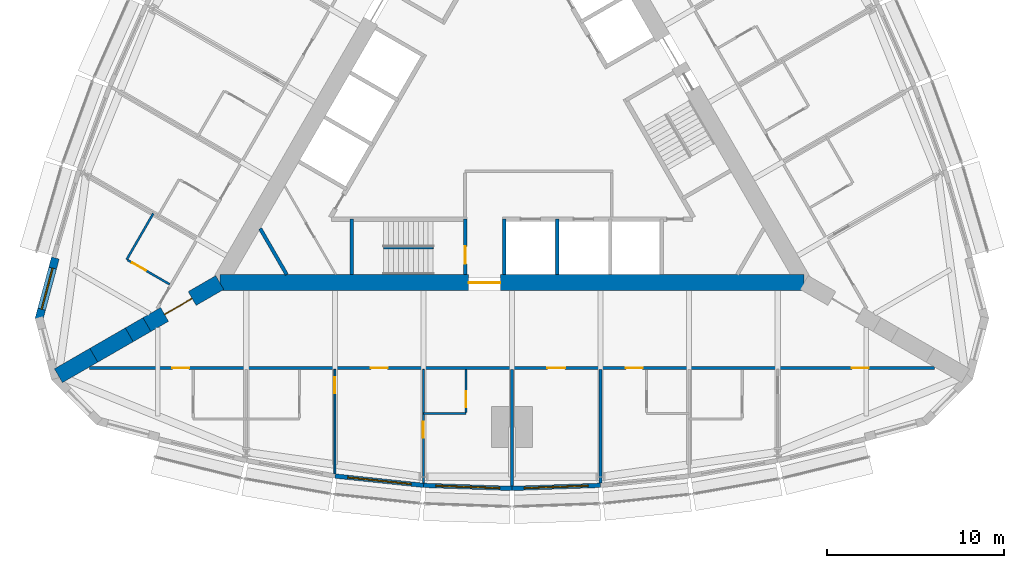
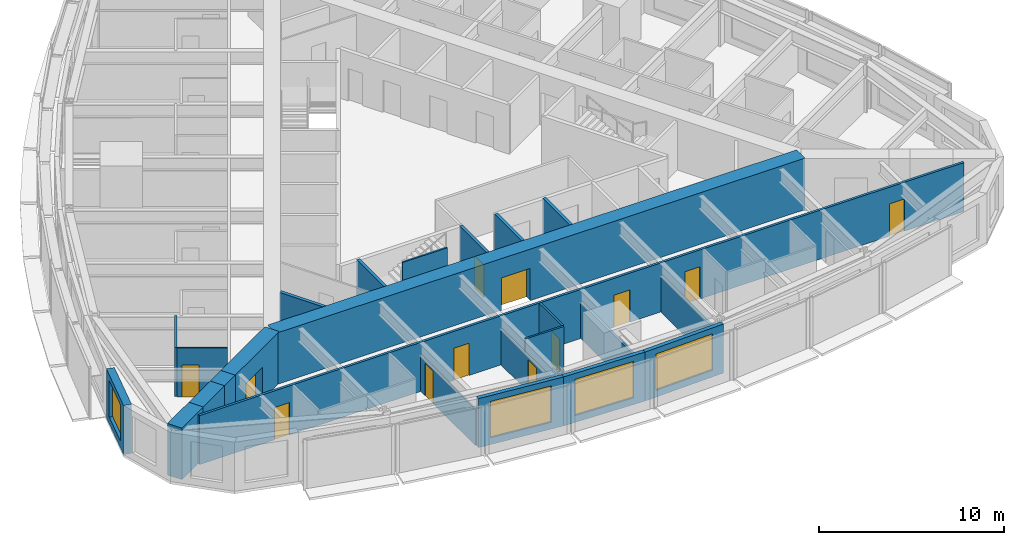
# One storey, part 8 of 14: 24 walls, 12 doors, 4 windows, 16 openings.
"""IFC4 building model written with IfcOpenShell, lengths in metres."""

import ifcopenshell
import ifcopenshell.guid

model = None  # the IFC model being written
_history = None  # IfcOwnerHistory: only IFC2X3 demands one
_inside = {}  # id of a spatial element -> (the spatial element, [elements in it])
_under = {}  # id of a project, library or spatial element -> (it, [spatial elements below it])
_declared = {}  # id of a project -> (the project, [libraries it declares])
_typed = {}  # id of a type object -> (the type object, [elements of that type])
_made_of = {}  # id of a material, layer set ... -> (it, [elements and type objects made of it])


def new_model(schema):
    """Start an empty IFC model of exactly this schema.

    Asked for "IFC4X3", IfcOpenShell would pick the latest addendum, in which some entities
    have other attributes; the version numbers below select the first issue.
    IFC2X3 requires an IfcOwnerHistory on every rooted entity: one is made here for all.
    """
    global model, _history
    if schema == "IFC4X3":
        model = ifcopenshell.file(schema_version=(4, 3, 0, 0))
    else:
        model = ifcopenshell.file(schema=schema)
    _inside.clear()
    _under.clear()
    _declared.clear()
    _typed.clear()
    _made_of.clear()
    _history = None
    if model.schema == "IFC2X3":
        org = make("IfcOrganization", Name="unknown")
        user = make(
            "IfcPersonAndOrganization",
            ThePerson=make("IfcPerson", FamilyName="unknown"),
            TheOrganization=org,
        )
        app = make(
            "IfcApplication",
            ApplicationDeveloper=org,
            Version="unknown",
            ApplicationFullName="unknown",
            ApplicationIdentifier="unknown",
        )
        _history = make(
            "IfcOwnerHistory",
            OwningUser=user,
            OwningApplication=app,
            ChangeAction="ADDED",
            CreationDate=0,
        )
    return model


def make(cls, **values):
    """One entity of the class cls with the attributes given. An attribute that is None is left unset."""
    return model.create_entity(
        cls, **{name: value for name, value in values.items() if value is not None}
    )


def rooted(cls, **values):
    """An entity with a GlobalId (a new one), such as an element, a storey or a relation."""
    return make(cls, GlobalId=ifcopenshell.guid.new(), OwnerHistory=_history, **values)


def si_unit(unit_type, name, prefix=None):
    """IfcSIUnit, for example si_unit("LENGTHUNIT", "METRE", prefix="MILLI")."""
    return make("IfcSIUnit", UnitType=unit_type, Prefix=prefix, Name=name)


def assignment(units):
    """IfcUnitAssignment: the units of a project."""
    return None if units is None else make("IfcUnitAssignment", Units=units)


def point(xyz):
    """IfcCartesianPoint."""
    return None if xyz is None else make("IfcCartesianPoint", Coordinates=xyz)


def direction(xyz):
    """IfcDirection."""
    return None if xyz is None else make("IfcDirection", DirectionRatios=xyz)


def frame(location, z_axis=None, x_axis=None):
    """IfcAxis2Placement3D, a coordinate frame: its origin and axes. An axis left out is left unset."""
    return make(
        "IfcAxis2Placement3D",
        Location=point(location),
        Axis=direction(z_axis),
        RefDirection=direction(x_axis),
    )


def frame_2d(location, x_axis=None):
    """IfcAxis2Placement2D, a coordinate frame in the plane: its origin and x axis."""
    return make(
        "IfcAxis2Placement2D", Location=point(location), RefDirection=direction(x_axis)
    )


def origin():
    """The frame at (0, 0, 0) with its axes left unset."""
    return frame((0.0, 0.0, 0.0))


def place(relative_to, where):
    """IfcLocalPlacement: puts the frame where relative to a parent placement (None: the world)."""
    return make(
        "IfcLocalPlacement", PlacementRelTo=relative_to, RelativePlacement=where
    )


def context(
    kind, dimensions, precision=None, world=None, true_north=None, identifier=None
):
    """IfcGeometricRepresentationContext, for example the 3D "Model" context."""
    return make(
        "IfcGeometricRepresentationContext",
        ContextIdentifier=identifier,
        ContextType=kind,
        CoordinateSpaceDimension=dimensions,
        Precision=precision,
        WorldCoordinateSystem=world,
        TrueNorth=true_north,
    )


def subcontext(parent, identifier, kind, view, scale=None):
    """IfcGeometricRepresentationSubContext, for example "Body" below "Model"."""
    return make(
        "IfcGeometricRepresentationSubContext",
        ContextIdentifier=identifier,
        ContextType=kind,
        ParentContext=parent,
        TargetScale=scale,
        TargetView=view,
    )


def project(units=None, contexts=None):
    """IfcProject with its units and contexts."""
    return rooted(
        "IfcProject",
        Name="project",
        RepresentationContexts=contexts,
        UnitsInContext=assignment(units),
    )


def spatial(cls, under=None, at=None, **own):
    """A site, building, storey or space (cls), placed at a placement, below another one or the project."""
    s = rooted(cls, ObjectPlacement=at, **own)
    if under is not None:
        _under.setdefault(under.id(), (under, []))[1].append(s)
    return s


def profile(cls, at=None, kind="AREA", **sizes):
    """A parametric profile (cls). Its sizes go by their IFC names, for example OverallWidth=200.0."""
    return make(cls, ProfileType=kind, Position=at, **sizes)


def rectangle(**sizes):
    """IfcRectangleProfileDef."""
    return profile("IfcRectangleProfileDef", **sizes)


def extrude(swept, where, along, depth):
    """IfcExtrudedAreaSolid: the profile swept, set in the frame where, extruded along a direction by depth."""
    return make(
        "IfcExtrudedAreaSolid",
        SweptArea=swept,
        Position=where,
        ExtrudedDirection=direction(along),
        Depth=depth,
    )


def shape(context_of_items, identifier, shape_type, items):
    """IfcShapeRepresentation: the items that make up one representation, for example the "Body"."""
    return make(
        "IfcShapeRepresentation",
        ContextOfItems=context_of_items,
        RepresentationIdentifier=identifier,
        RepresentationType=shape_type,
        Items=items,
    )


def material(Name=None, Category=None):
    """IfcMaterial."""
    return make("IfcMaterial", Name=Name, Category=Category)


def layer(
    of_material, thickness, ventilated=None, Name=None, Category=None, Priority=None
):
    """IfcMaterialLayer: one layer of a wall or slab, of a material (None: an air gap)."""
    return make(
        "IfcMaterialLayer",
        Material=of_material,
        LayerThickness=thickness,
        IsVentilated=ventilated,
        Name=Name,
        Category=Category,
        Priority=Priority,
    )


def layer_set(layers, Name=None):
    """IfcMaterialLayerSet."""
    return make("IfcMaterialLayerSet", MaterialLayers=layers, LayerSetName=Name)


def made_of(thing, what):
    """Note that an element or type object is made of a material, layer set ...; save() writes the relation."""
    if what is not None:
        _made_of.setdefault(what.id(), (what, []))[1].append(thing)
    return thing


def type_object(cls, material=None, **own):
    """A type object (cls), such as IfcWallType, which elements share."""
    return made_of(rooted(cls, **own), material)


def element(
    cls,
    number,
    at=None,
    inside=None,
    cuts=None,
    type_object=None,
    material=None,
    context=None,
    identifier="Body",
    shape_type=None,
    held_by="IfcProductDefinitionShape",
    body=None,
    shapes=None,
    **own,
):
    """One element of the class cls, such as IfcWall. Its Tag is "e" and its number.

    at: its placement. inside: the storey or other place that contains it. cuts: it is an
    opening in that element (IfcRelVoidsElement). A single representation is given by context,
    identifier, shape_type and body (its items); several are given by shapes. held_by: the class
    of the entity that holds the representations. save() writes the other relations.
    """
    e = rooted(cls, Tag="e%d" % number, ObjectPlacement=at, **own)
    if body is not None:
        shapes = [shape(context, identifier, shape_type, body)]
    if shapes is not None:
        e.Representation = make(held_by, Representations=shapes)
    if inside is not None:
        _inside.setdefault(inside.id(), (inside, []))[1].append(e)
    if cuts is not None:
        rooted(
            "IfcRelVoidsElement", RelatingBuildingElement=cuts, RelatedOpeningElement=e
        )
    if type_object is not None:
        _typed.setdefault(type_object.id(), (type_object, []))[1].append(e)
    return made_of(e, material)


def fill(opening, filler):
    """IfcRelFillsElement: the door or window that sits in an opening."""
    return rooted(
        "IfcRelFillsElement",
        RelatingOpeningElement=opening,
        RelatedBuildingElement=filler,
    )


def aggregate(whole, parts):
    """IfcRelAggregates: a whole, such as a stair, and the parts it consists of."""
    return rooted("IfcRelAggregates", RelatingObject=whole, RelatedObjects=parts)


def save(model, path):
    """Write the relations noted so far, then the file.

    IfcRelAggregates (storeys below a building ...), IfcRelContainedInSpatialStructure (elements
    in a storey), IfcRelDefinesByType, IfcRelAssociatesMaterial and IfcRelDeclares: one each for
    every whole, place, type object, material and project.
    """
    for whole, parts in _under.values():
        aggregate(whole, parts)
    for where, things in _inside.values():
        rooted(
            "IfcRelContainedInSpatialStructure",
            RelatedElements=things,
            RelatingStructure=where,
        )
    for kind, things in _typed.values():
        rooted("IfcRelDefinesByType", RelatedObjects=things, RelatingType=kind)
    for what, things in _made_of.values():
        rooted("IfcRelAssociatesMaterial", RelatedObjects=things, RelatingMaterial=what)
    for by, libraries in _declared.values():
        rooted("IfcRelDeclares", RelatingContext=by, RelatedDefinitions=libraries)
    model.write(path)


model = new_model("IFC4")

# Units and contexts
model_context = context("Model", 3, precision=1e-05, world=origin(), true_north=direction((0.0, 1.0)))
body_context = subcontext(model_context, "Body", "Model", "MODEL_VIEW")
ifc_project = project(units=[si_unit("LENGTHUNIT", "METRE"), si_unit("AREAUNIT", "SQUARE_METRE"), si_unit("VOLUMEUNIT", "CUBIC_METRE"), si_unit("PLANEANGLEUNIT", "RADIAN"), si_unit("MASSUNIT", "GRAM", prefix="KILO")], contexts=[model_context])

# Site, building, storey
site_placement = place(None, origin())
site = spatial("IfcSite", under=ifc_project, at=site_placement, CompositionType="ELEMENT")
building_placement = place(site_placement, origin())
building = spatial("IfcBuilding", under=site, at=building_placement, Name="Trikona Tower", CompositionType="ELEMENT")
storey_placement = place(building_placement, frame((0.0, 0.0, 135.10009765625)))
storey = spatial("IfcBuildingStorey", under=building, at=storey_placement, Name="L35", CompositionType="ELEMENT", Elevation=135.10009765625)

# Wall
ifc_material_1 = material(Name="Metal stud and cement board", Category="gypsum")
ifc_layer_1 = layer(ifc_material_1, 0.1201171875)
ifc_layer_set_1 = layer_set([ifc_layer_1], Name="Bathroom wall 120")
wall_type_1 = type_object("IfcWallType", Name="Bathroom wall 120", PredefinedType="PLUMBINGWALL", material=ifc_layer_set_1)
wall_1_placement = place(storey_placement, frame((-5.0, -16.92626953125, 0.0), z_axis=(0.0, 0.0, 1.0), x_axis=(1.0, 0.0, 0.0)))
element("IfcWall", 1, at=wall_1_placement, inside=storey, type_object=wall_type_1, Name="Bathroom wall 3502.2", PredefinedType="PLUMBINGWALL", context=body_context, shape_type="SweptSolid", body=[
    extrude(rectangle(XDim=2.39990234375, YDim=0.1201171875, at=frame_2d((1.199951171875, 0.0))), origin(), (0.0, 0.0, 1.0), 3.23486328125),
])

# Wall, opening, door
wall_2_placement = place(storey_placement, frame((-2.60009765625, -14.42626953125, 0.0), z_axis=(0.0, 0.0, 1.0), x_axis=(0.0, -1.0, 0.0)))
wall_2 = element("IfcWall", 2, at=wall_2_placement, inside=storey, type_object=wall_type_1, Name="Bathroom wall 3502.2", PredefinedType="PLUMBINGWALL", context=body_context, shape_type="SweptSolid", body=[
    extrude(rectangle(XDim=2.43994140625, YDim=0.1201171875, at=frame_2d((1.219970703125, 0.0))), origin(), (0.0, 0.0, 1.0), 3.23486328125),
])
opening_1_placement = place(wall_2_placement, frame((1.25, 0.0, 0.0)))
opening_1 = element("IfcOpeningElement", 3, at=opening_1_placement, cuts=wall_2, Name="Opening D2", PredefinedType="OPENING", context=body_context, shape_type="SweptSolid", body=[
    extrude(rectangle(XDim=0.89990234375, YDim=2.1298828125, at=frame_2d((0.449951171875, 1.06494140625))), frame((0.0, 0.070068359375, 0.0), z_axis=(0.0, -1.0, 0.0), x_axis=(1.0, 0.0, 0.0)), (0.0, 0.0, 1.0), 0.14013671875),
])
ifc_material_2 = material(Name="Steel door frame with solid-core timber leaf", Category="steel")
door_type_1 = type_object("IfcDoorType", Name="Bathroom door 900x2130", OperationType="SLIDING_TO_LEFT", PredefinedType="DOOR", material=ifc_material_2)
door_1_placement = place(opening_1_placement, origin())
door_1 = element("IfcDoor", 4, at=door_1_placement, inside=storey, type_object=door_type_1, Name="Bathroom door 3502.2", OperationType="SLIDING_TO_LEFT", OverallHeight=2.1298828125, OverallWidth=0.89990234375, PredefinedType="DOOR", context=body_context, shape_type="SweptSolid", body=[
    extrude(rectangle(XDim=0.89990234375, YDim=2.1298828125, at=frame_2d((0.449951171875, 1.06494140625))), frame((0.0, 0.02490234375, 0.0), z_axis=(0.0, -1.0, 0.0), x_axis=(1.0, 0.0, 0.0)), (0.0, 0.0, 1.0), 0.050048828125),
])
fill(opening_1, door_1)

# Wall
wall_3_placement = place(storey_placement, frame((-20.25341796875, -5.627197265625, 0.0), z_axis=(0.0, 0.0, 1.0), x_axis=(-0.499990139034, -0.866031096941, 0.0)))
element("IfcWall", 5, at=wall_3_placement, inside=storey, type_object=wall_type_1, Name="Bathroom wall 3516", PredefinedType="PLUMBINGWALL", context=body_context, shape_type="SweptSolid", body=[
    extrude(rectangle(XDim=3.0, YDim=0.1201171875, at=frame_2d((1.5, 0.0))), origin(), (0.0, 0.0, 1.0), 3.23486328125),
])

# Wall, opening, door
wall_4_placement = place(storey_placement, frame((-19.32861328125, -9.625244140625, 0.0), z_axis=(0.0, 0.0, 1.0), x_axis=(-0.866035715982, 0.499982138324, 0.0)))
wall_4 = element("IfcWall", 6, at=wall_4_placement, inside=storey, type_object=wall_type_1, Name="Bathroom wall 3516", PredefinedType="PLUMBINGWALL", context=body_context, shape_type="SweptSolid", body=[
    extrude(rectangle(XDim=2.73974609375, YDim=0.1201171875, at=frame_2d((1.369873046875, 0.0))), origin(), (0.0, 0.0, 1.0), 3.23486328125),
])
opening_2_placement = place(wall_4_placement, frame((1.550048828125, 0.0, 0.0)))
opening_2 = element("IfcOpeningElement", 7, at=opening_2_placement, cuts=wall_4, Name="Opening D2", PredefinedType="OPENING", context=body_context, shape_type="SweptSolid", body=[
    extrude(rectangle(XDim=0.89990234375, YDim=2.1298828125, at=frame_2d((0.449951171875, 1.06494140625))), frame((0.0, 0.070068359375, 0.0), z_axis=(0.0, -1.0, 0.0), x_axis=(1.0, 0.0, 0.0)), (0.0, 0.0, 1.0), 0.14013671875),
])
door_2_placement = place(opening_2_placement, origin())
door_2 = element("IfcDoor", 8, at=door_2_placement, inside=storey, type_object=door_type_1, Name="Bathroom door 3516", OperationType="SLIDING_TO_LEFT", OverallHeight=2.1298828125, OverallWidth=0.89990234375, PredefinedType="DOOR", context=body_context, shape_type="SweptSolid", body=[
    extrude(rectangle(XDim=0.89990234375, YDim=2.1298828125, at=frame_2d((0.449951171875, 1.06494140625))), frame((0.0, 0.02490234375, 0.0), z_axis=(0.0, -1.0, 0.0), x_axis=(1.0, 0.0, 0.0)), (0.0, 0.0, 1.0), 0.050048828125),
])
fill(opening_2, door_2)

# Wall, opening, window
ifc_material_3 = material(Name="Brick-faced precast concrete", Category="masonry")
ifc_layer_2 = layer(ifc_material_3, 0.449951171875)
ifc_layer_set_2 = layer_set([ifc_layer_2], Name="Brick-faced corner wall 450")
wall_type_2 = type_object("IfcWallType", Name="Brick-faced corner wall 450", PredefinedType="SOLIDWALL", material=ifc_layer_set_2)
wall_5_placement = place(storey_placement, frame((-25.78271484375, -8.14111328125, 0.0), z_axis=(0.0, 0.0, 1.0), x_axis=(-0.258823421857, -0.965924653531, 0.0)))
wall_5 = element("IfcWall", 9, at=wall_5_placement, inside=storey, type_object=wall_type_2, Name="External wall L35-32", PredefinedType="SOLIDWALL", context=body_context, shape_type="SweptSolid", body=[
    extrude(rectangle(XDim=3.58642578125, YDim=0.449951171875, at=frame_2d((1.793212890625, 0.0))), origin(), (0.0, 0.0, 1.0), 3.23486328125),
])
opening_3_placement = place(wall_5_placement, frame((0.593017578125, 0.0, 0.449951171875)))
opening_3 = element("IfcOpeningElement", 10, at=opening_3_placement, cuts=wall_5, Name="Opening W2424", PredefinedType="OPENING", context=body_context, shape_type="SweptSolid", body=[
    extrude(rectangle(XDim=2.39990234375, YDim=2.39990234375, at=frame_2d((1.199951171875, 1.199951171875))), frame((0.0, 0.23486328125, 0.0), z_axis=(0.0, -1.0, 0.0), x_axis=(1.0, 0.0, 0.0)), (0.0, 0.0, 1.0), 0.469970703125),
])
ifc_material_4 = material(Name="Aluminium-framed double glazing", Category="aluminium")
window_type_1 = type_object("IfcWindowType", Name="Window 2400x2400", PartitioningType="SINGLE_PANEL", PredefinedType="WINDOW", material=ifc_material_4)
window_1_placement = place(opening_3_placement, origin())
window_1 = element("IfcWindow", 11, at=window_1_placement, inside=storey, type_object=window_type_1, Name="Window 3516", OverallHeight=2.39990234375, OverallWidth=2.39990234375, PartitioningType="SINGLE_PANEL", PredefinedType="WINDOW", context=body_context, shape_type="SweptSolid", body=[
    extrude(rectangle(XDim=2.39990234375, YDim=2.39990234375, at=frame_2d((1.199951171875, 1.199951171875))), frame((0.0, 0.030029296875, 0.0), z_axis=(0.0, -1.0, 0.0), x_axis=(1.0, 0.0, 0.0)), (0.0, 0.0, 1.0), 0.06005859375),
])
fill(opening_3, window_1)

# Wall, opening, door
ifc_material_5 = material(Name="Concrete f'c 10000 psi", Category="concrete")
ifc_layer_3 = layer(ifc_material_5, 0.89990234375)
ifc_layer_set_3 = layer_set([ifc_layer_3], Name="Buttress wall 900")
wall_type_3 = type_object("IfcWallType", Name="Buttress wall 900", PredefinedType="SHEAR", material=ifc_layer_set_3)
wall_6_placement = place(storey_placement, frame((-16.5, -9.5263671875, 0.0), z_axis=(0.0, 0.0, 1.0), x_axis=(-0.866031398331, -0.499989616998, 0.0)))
wall_6 = element("IfcWall", 12, at=wall_6_placement, inside=storey, type_object=wall_type_3, Name="Buttress wall 3", PredefinedType="SHEAR", context=body_context, shape_type="SweptSolid", body=[
    extrude(rectangle(XDim=4.74609375, YDim=0.89990234375, at=frame_2d((2.373046875, 0.0))), origin(), (0.0, 0.0, 1.0), 3.39990234375),
])
opening_4_placement = place(wall_6_placement, frame((1.800048828125, 0.0, 0.0)))
opening_4 = element("IfcOpeningElement", 13, at=opening_4_placement, cuts=wall_6, Name="Opening D10", PredefinedType="OPENING", context=body_context, shape_type="SweptSolid", body=[
    extrude(rectangle(XDim=1.800048828125, YDim=2.1298828125, at=frame_2d((0.89990234375, 1.06494140625))), frame((0.0, 0.4599609375, 0.0), z_axis=(0.0, -1.0, 0.0), x_axis=(1.0, 0.0, 0.0)), (0.0, 0.0, 1.0), 0.919921875),
])
ifc_material_6 = material(Name="Hollow metal door and frame", Category="steel")
door_type_2 = type_object("IfcDoorType", Name="Cross-corridor door pair 1800x2130", OperationType="DOUBLE_DOOR_DOUBLE_SWING", PredefinedType="DOOR", material=ifc_material_6)
door_3_placement = place(opening_4_placement, origin())
door_3 = element("IfcDoor", 14, at=door_3_placement, inside=storey, type_object=door_type_2, Name="Cross-corridor door 3", OperationType="DOUBLE_DOOR_DOUBLE_SWING", OverallHeight=2.1298828125, OverallWidth=1.800048828125, PredefinedType="DOOR", context=body_context, shape_type="SweptSolid", body=[
    extrude(rectangle(XDim=1.800048828125, YDim=2.1298828125, at=frame_2d((0.89990234375, 1.06494140625))), frame((0.0, 0.02490234375, 0.0), z_axis=(0.0, -1.0, 0.0), x_axis=(1.0, 0.0, 0.0)), (0.0, 0.0, 1.0), 0.050048828125),
])
fill(opening_4, door_3)

# Walls
wall_7_placement = place(storey_placement, frame((-20.6103515625, -11.8994140625, 0.0), z_axis=(0.0, 0.0, 1.0), x_axis=(-0.866009537788, -0.500027479704, 0.0)))
element("IfcWall", 15, at=wall_7_placement, inside=storey, type_object=wall_type_3, Name="Buttress wall 3 part 2", PredefinedType="SHEAR", context=body_context, shape_type="SweptSolid", body=[
    extrude(rectangle(XDim=1.15478515625, YDim=0.89990234375, at=frame_2d((0.577392578125, 0.0))), origin(), (0.0, 0.0, 1.0), 3.39990234375),
])
for number, where, z_axis, x_axis, name in (
    (16, (-21.6103515625, -12.476806640625, 0.0), (0.0, 0.0, 1.0), (-0.866055313784, -0.499948190782, 0.0), "Buttress wall 3 part 3"),
    (17, (-23.6103515625, -13.63134765625, 0.0), (0.0, 0.0, 1.0), (-0.866009537788, -0.500027479704, 0.0), "Buttress wall 3 part 4"),
):
    element("IfcWall", number, at=place(storey_placement, frame(where, z_axis=z_axis, x_axis=x_axis)), inside=storey, type_object=wall_type_3, Name=name, PredefinedType="SHEAR", context=body_context, shape_type="SweptSolid", body=[
        extrude(rectangle(XDim=2.309326171875, YDim=0.89990234375, at=frame_2d((1.15478515625, 0.0))), origin(), (0.0, 0.0, 1.0), 3.39990234375),
    ])

# Wall, opening, door
ifc_material_7 = material(Name="Concrete f'c 10000 psi", Category="concrete")
ifc_layer_4 = layer(ifc_material_7, 0.89990234375)
ifc_layer_set_4 = layer_set([ifc_layer_4], Name="Core wall 900")
wall_type_4 = type_object("IfcWallType", Name="Core wall 900", PredefinedType="SHEAR", material=ifc_layer_set_4)
wall_8_placement = place(storey_placement, frame((-16.5, -9.5263671875, 0.0), z_axis=(0.0, 0.0, 1.0), x_axis=(1.0, 0.0, 0.0)))
wall_8 = element("IfcWall", 18, at=wall_8_placement, inside=storey, type_object=wall_type_4, Name="Core wall A", PredefinedType="SHEAR", context=body_context, shape_type="SweptSolid", body=[
    extrude(rectangle(XDim=33.0, YDim=0.89990234375, at=frame_2d((16.5, 0.0))), origin(), (0.0, 0.0, 1.0), 3.39990234375),
])
opening_5_placement = place(wall_8_placement, frame((14.050048828125, 0.0, 0.0)))
opening_5 = element("IfcOpeningElement", 19, at=opening_5_placement, cuts=wall_8, Name="Opening D6", PredefinedType="OPENING", context=body_context, shape_type="SweptSolid", body=[
    extrude(rectangle(XDim=1.800048828125, YDim=2.1298828125, at=frame_2d((0.89990234375, 1.06494140625))), frame((0.0, 0.4599609375, 0.0), z_axis=(0.0, -1.0, 0.0), x_axis=(1.0, 0.0, 0.0)), (0.0, 0.0, 1.0), 0.919921875),
])
ifc_material_8 = material(Name="Hollow metal door and frame", Category="steel")
door_type_3 = type_object("IfcDoorType", Name="Lobby door pair 1800x2130", OperationType="DOUBLE_DOOR_SINGLE_SWING", PredefinedType="DOOR", material=ifc_material_8)
door_4_placement = place(opening_5_placement, origin())
door_4 = element("IfcDoor", 20, at=door_4_placement, inside=storey, type_object=door_type_3, Name="Fire service lift lobby door", OperationType="DOUBLE_DOOR_SINGLE_SWING", OverallHeight=2.1298828125, OverallWidth=1.800048828125, PredefinedType="DOOR", context=body_context, shape_type="SweptSolid", body=[
    extrude(rectangle(XDim=1.800048828125, YDim=2.1298828125, at=frame_2d((0.89990234375, 1.06494140625))), frame((0.0, 0.02490234375, 0.0), z_axis=(0.0, -1.0, 0.0), x_axis=(1.0, 0.0, 0.0)), (0.0, 0.0, 1.0), 0.050048828125),
])
fill(opening_5, door_4)

# Wall, openings, doors
ifc_material_9 = material(Name="Metal stud and gypsum board, 1-hour", Category="gypsum")
ifc_layer_5 = layer(ifc_material_9, 0.14990234375)
ifc_layer_set_5 = layer_set([ifc_layer_5], Name="Corridor wall 150")
wall_type_5 = type_object("IfcWallType", Name="Corridor wall 150", PredefinedType="PARTITIONING", material=ifc_layer_set_5)
wall_9_placement = place(storey_placement, frame((-23.857177734375, -14.351318359375, 0.0), z_axis=(0.0, 0.0, 1.0), x_axis=(1.0, 0.0, 0.0)))
wall_9 = element("IfcWall", 21, at=wall_9_placement, inside=storey, type_object=wall_type_5, Name="Corridor wall L35-1", PredefinedType="PARTITIONING", context=body_context, shape_type="SweptSolid", body=[
    extrude(rectangle(XDim=47.71435546875, YDim=0.14990234375, at=frame_2d((23.857177734375, 0.0))), origin(), (0.0, 0.0, 1.0), 3.23486328125),
])
opening_6_placement = place(wall_9_placement, frame((4.68212890625, 0.0, 0.0)))
opening_6 = element("IfcOpeningElement", 22, at=opening_6_placement, cuts=wall_9, Name="Opening D1", PredefinedType="OPENING", context=body_context, shape_type="SweptSolid", body=[
    extrude(rectangle(XDim=0.949951171875, YDim=2.1298828125, at=frame_2d((0.47509765625, 1.06494140625))), frame((0.0, 0.0849609375, 0.0), z_axis=(0.0, -1.0, 0.0), x_axis=(1.0, 0.0, 0.0)), (0.0, 0.0, 1.0), 0.169921875),
])
opening_7_placement = place(wall_9_placement, frame((15.882080078125, 0.0, 0.0)))
opening_7 = element("IfcOpeningElement", 23, at=opening_7_placement, cuts=wall_9, Name="Opening D1", PredefinedType="OPENING", context=body_context, shape_type="SweptSolid", body=[
    extrude(rectangle(XDim=0.949951171875, YDim=2.1298828125, at=frame_2d((0.47509765625, 1.06494140625))), frame((0.0, 0.0849609375, 0.0), z_axis=(0.0, -1.0, 0.0), x_axis=(1.0, 0.0, 0.0)), (0.0, 0.0, 1.0), 0.169921875),
])
opening_8_placement = place(wall_9_placement, frame((25.857177734375, 0.0, 0.0)))
opening_8 = element("IfcOpeningElement", 24, at=opening_8_placement, cuts=wall_9, Name="Opening D3", PredefinedType="OPENING", context=body_context, shape_type="SweptSolid", body=[
    extrude(rectangle(XDim=1.0, YDim=2.1298828125, at=frame_2d((0.5, 1.06494140625))), frame((0.0, 0.0849609375, 0.0), z_axis=(0.0, -1.0, 0.0), x_axis=(1.0, 0.0, 0.0)), (0.0, 0.0, 1.0), 0.169921875),
])
opening_9_placement = place(wall_9_placement, frame((30.281982421875, 0.0, 0.0)))
opening_9 = element("IfcOpeningElement", 25, at=opening_9_placement, cuts=wall_9, Name="Opening D1", PredefinedType="OPENING", context=body_context, shape_type="SweptSolid", body=[
    extrude(rectangle(XDim=0.949951171875, YDim=2.1298828125, at=frame_2d((0.47509765625, 1.06494140625))), frame((0.0, 0.0849609375, 0.0), z_axis=(0.0, -1.0, 0.0), x_axis=(1.0, 0.0, 0.0)), (0.0, 0.0, 1.0), 0.169921875),
])
opening_10_placement = place(wall_9_placement, frame((43.041015625, 0.0, 0.0)))
opening_10 = element("IfcOpeningElement", 26, at=opening_10_placement, cuts=wall_9, Name="Opening D1", PredefinedType="OPENING", context=body_context, shape_type="SweptSolid", body=[
    extrude(rectangle(XDim=0.949951171875, YDim=2.1298828125, at=frame_2d((0.47509765625, 1.06494140625))), frame((0.0, 0.0849609375, 0.0), z_axis=(0.0, -1.0, 0.0), x_axis=(1.0, 0.0, 0.0)), (0.0, 0.0, 1.0), 0.169921875),
])
ifc_material_10 = material(Name="Steel door frame with solid-core timber leaf", Category="steel")
door_type_4 = type_object("IfcDoorType", Name="Guest room door 950x2130", OperationType="SINGLE_SWING_LEFT", PredefinedType="DOOR", material=ifc_material_10)
door_5_placement = place(opening_6_placement, origin())
door_5 = element("IfcDoor", 27, at=door_5_placement, inside=storey, type_object=door_type_4, Name="Room door 3501", OperationType="SINGLE_SWING_LEFT", OverallHeight=2.1298828125, OverallWidth=0.949951171875, PredefinedType="DOOR", context=body_context, shape_type="SweptSolid", body=[
    extrude(rectangle(XDim=0.949951171875, YDim=2.1298828125, at=frame_2d((0.47509765625, 1.06494140625))), frame((0.0, 0.02490234375, 0.0), z_axis=(0.0, -1.0, 0.0), x_axis=(1.0, 0.0, 0.0)), (0.0, 0.0, 1.0), 0.050048828125),
])
fill(opening_6, door_5)
door_6_placement = place(opening_7_placement, origin())
door_6 = element("IfcDoor", 28, at=door_6_placement, inside=storey, type_object=door_type_4, Name="Room door 3502", OperationType="SINGLE_SWING_RIGHT", OverallHeight=2.1298828125, OverallWidth=0.949951171875, PredefinedType="DOOR", context=body_context, shape_type="SweptSolid", body=[
    extrude(rectangle(XDim=0.949951171875, YDim=2.1298828125, at=frame_2d((0.47509765625, 1.06494140625))), frame((0.0, 0.02490234375, 0.0), z_axis=(0.0, -1.0, 0.0), x_axis=(1.0, 0.0, 0.0)), (0.0, 0.0, 1.0), 0.050048828125),
])
fill(opening_7, door_6)
door_7_placement = place(opening_9_placement, origin())
door_7 = element("IfcDoor", 29, at=door_7_placement, inside=storey, type_object=door_type_4, Name="Room door 3503", OperationType="SINGLE_SWING_RIGHT", OverallHeight=2.1298828125, OverallWidth=0.949951171875, PredefinedType="DOOR", context=body_context, shape_type="SweptSolid", body=[
    extrude(rectangle(XDim=0.949951171875, YDim=2.1298828125, at=frame_2d((0.47509765625, 1.06494140625))), frame((0.0, 0.02490234375, 0.0), z_axis=(0.0, -1.0, 0.0), x_axis=(1.0, 0.0, 0.0)), (0.0, 0.0, 1.0), 0.050048828125),
])
fill(opening_9, door_7)
door_8_placement = place(opening_10_placement, origin())
door_8 = element("IfcDoor", 30, at=door_8_placement, inside=storey, type_object=door_type_4, Name="Room door 3504", OperationType="SINGLE_SWING_RIGHT", OverallHeight=2.1298828125, OverallWidth=0.949951171875, PredefinedType="DOOR", context=body_context, shape_type="SweptSolid", body=[
    extrude(rectangle(XDim=0.949951171875, YDim=2.1298828125, at=frame_2d((0.47509765625, 1.06494140625))), frame((0.0, 0.02490234375, 0.0), z_axis=(0.0, -1.0, 0.0), x_axis=(1.0, 0.0, 0.0)), (0.0, 0.0, 1.0), 0.050048828125),
])
fill(opening_10, door_8)
ifc_material_11 = material(Name="Steel door frame with solid-core timber leaf", Category="steel")
door_type_5 = type_object("IfcDoorType", Name="Room door 1000x2130", OperationType="SINGLE_SWING_LEFT", PredefinedType="DOOR", material=ifc_material_11)
door_9_placement = place(opening_8_placement, origin())
door_9 = element("IfcDoor", 31, at=door_9_placement, inside=storey, type_object=door_type_5, Name="Door Housekeeping pantry", OperationType="SINGLE_SWING_LEFT", OverallHeight=2.1298828125, OverallWidth=1.0, PredefinedType="DOOR", context=body_context, shape_type="SweptSolid", body=[
    extrude(rectangle(XDim=1.0, YDim=2.1298828125, at=frame_2d((0.5, 1.06494140625))), frame((0.0, 0.02490234375, 0.0), z_axis=(0.0, -1.0, 0.0), x_axis=(1.0, 0.0, 0.0)), (0.0, 0.0, 1.0), 0.050048828125),
])
fill(opening_8, door_9)

# Wall, opening, window
ifc_material_12 = material(Name="Insulated precast concrete spandrel panel", Category="concrete")
ifc_layer_6 = layer(ifc_material_12, 0.25)
ifc_layer_set_6 = layer_set([ifc_layer_6], Name="Inner skin wall 250")
wall_type_6 = type_object("IfcWallType", Name="Inner skin wall 250", PredefinedType="STANDARD", material=ifc_layer_set_6)
wall_10_placement = place(storey_placement, frame((-9.98681640625, -20.450927734375, 0.0), z_axis=(0.0, 0.0, 1.0), x_axis=(0.994534683851, -0.104406717299, 0.0)))
wall_10 = element("IfcWall", 32, at=wall_10_placement, inside=storey, type_object=wall_type_6, Name="External wall L35-02", PredefinedType="STANDARD", context=body_context, shape_type="SweptSolid", body=[
    extrude(rectangle(XDim=5.027587890625, YDim=0.25, at=frame_2d((2.513671875, 0.0))), origin(), (0.0, 0.0, 1.0), 3.23486328125),
])
opening_11_placement = place(wall_10_placement, frame((0.713623046875, 0.0, 0.449951171875)))
opening_11 = element("IfcOpeningElement", 33, at=opening_11_placement, cuts=wall_10, Name="Opening W3624", PredefinedType="OPENING", context=body_context, shape_type="SweptSolid", body=[
    extrude(rectangle(XDim=3.60009765625, YDim=2.39990234375, at=frame_2d((1.800048828125, 1.199951171875))), frame((0.0, 0.135009765625, 0.0), z_axis=(0.0, -1.0, 0.0), x_axis=(1.0, 0.0, 0.0)), (0.0, 0.0, 1.0), 0.27001953125),
])
ifc_material_13 = material(Name="Aluminium-framed double glazing", Category="aluminium")
window_type_2 = type_object("IfcWindowType", Name="Window 3600x2400", PartitioningType="SINGLE_PANEL", PredefinedType="WINDOW", material=ifc_material_13)
window_2_placement = place(opening_11_placement, origin())
window_2 = element("IfcWindow", 34, at=window_2_placement, inside=storey, type_object=window_type_2, Name="Window 3502", OverallHeight=2.39990234375, OverallWidth=3.60009765625, PartitioningType="SINGLE_PANEL", PredefinedType="WINDOW", context=body_context, shape_type="SweptSolid", body=[
    extrude(rectangle(XDim=3.60009765625, YDim=2.39990234375, at=frame_2d((1.800048828125, 1.199951171875))), frame((0.0, 0.030029296875, 0.0), z_axis=(0.0, -1.0, 0.0), x_axis=(1.0, 0.0, 0.0)), (0.0, 0.0, 1.0), 0.06005859375),
])
fill(opening_11, window_2)

wall_11_placement = place(storey_placement, frame((-4.99560546875, -20.975341796875, 0.0), z_axis=(0.0, 0.0, 1.0), x_axis=(0.999387720943, -0.034988329879, 0.0)))
wall_11 = element("IfcWall", 35, at=wall_11_placement, inside=storey, type_object=wall_type_6, Name="External wall L35-03", PredefinedType="STANDARD", context=body_context, shape_type="SweptSolid", body=[
    extrude(rectangle(XDim=5.003173828125, YDim=0.25, at=frame_2d((2.50146484375, 0.0))), origin(), (0.0, 0.0, 1.0), 3.23486328125),
])
opening_12_placement = place(wall_11_placement, frame((0.701416015625, 0.0, 0.449951171875)))
opening_12 = element("IfcOpeningElement", 36, at=opening_12_placement, cuts=wall_11, Name="Opening W3624", PredefinedType="OPENING", context=body_context, shape_type="SweptSolid", body=[
    extrude(rectangle(XDim=3.60009765625, YDim=2.39990234375, at=frame_2d((1.800048828125, 1.199951171875))), frame((0.0, 0.135009765625, 0.0), z_axis=(0.0, -1.0, 0.0), x_axis=(1.0, 0.0, 0.0)), (0.0, 0.0, 1.0), 0.27001953125),
])
window_3_placement = place(opening_12_placement, origin())
window_3 = element("IfcWindow", 37, at=window_3_placement, inside=storey, type_object=window_type_2, Name="Window 3502.2", OverallHeight=2.39990234375, OverallWidth=3.60009765625, PartitioningType="SINGLE_PANEL", PredefinedType="WINDOW", context=body_context, shape_type="SweptSolid", body=[
    extrude(rectangle(XDim=3.60009765625, YDim=2.39990234375, at=frame_2d((1.800048828125, 1.199951171875))), frame((0.0, 0.030029296875, 0.0), z_axis=(0.0, -1.0, 0.0), x_axis=(1.0, 0.0, 0.0)), (0.0, 0.0, 1.0), 0.06005859375),
])
fill(opening_12, window_3)

wall_12_placement = place(storey_placement, frame((-0.00439453125, -21.150390625, 0.0), z_axis=(0.0, 0.0, 1.0), x_axis=(0.999387720943, 0.034988329879, 0.0)))
wall_12 = element("IfcWall", 38, at=wall_12_placement, inside=storey, type_object=wall_type_6, Name="External wall L35-04", PredefinedType="STANDARD", context=body_context, shape_type="SweptSolid", body=[
    extrude(rectangle(XDim=5.003173828125, YDim=0.25, at=frame_2d((2.50146484375, 0.0))), origin(), (0.0, 0.0, 1.0), 3.23486328125),
])
opening_13_placement = place(wall_12_placement, frame((0.701416015625, 0.0, 0.449951171875)))
opening_13 = element("IfcOpeningElement", 39, at=opening_13_placement, cuts=wall_12, Name="Opening W3624", PredefinedType="OPENING", context=body_context, shape_type="SweptSolid", body=[
    extrude(rectangle(XDim=3.60009765625, YDim=2.39990234375, at=frame_2d((1.800048828125, 1.199951171875))), frame((0.0, 0.135009765625, 0.0), z_axis=(0.0, -1.0, 0.0), x_axis=(1.0, 0.0, 0.0)), (0.0, 0.0, 1.0), 0.27001953125),
])
window_4_placement = place(opening_13_placement, origin())
window_4 = element("IfcWindow", 40, at=window_4_placement, inside=storey, type_object=window_type_2, Name="Window L35-HKP", OverallHeight=2.39990234375, OverallWidth=3.60009765625, PartitioningType="SINGLE_PANEL", PredefinedType="WINDOW", context=body_context, shape_type="SweptSolid", body=[
    extrude(rectangle(XDim=3.60009765625, YDim=2.39990234375, at=frame_2d((1.800048828125, 1.199951171875))), frame((0.0, 0.030029296875, 0.0), z_axis=(0.0, -1.0, 0.0), x_axis=(1.0, 0.0, 0.0)), (0.0, 0.0, 1.0), 0.06005859375),
])
fill(opening_13, window_4)

# Walls
ifc_material_14 = material(Name="Metal stud and gypsum board, 1-hour acoustic", Category="gypsum")
ifc_layer_7 = layer(ifc_material_14, 0.14990234375)
ifc_layer_set_7 = layer_set([ifc_layer_7], Name="Party wall 150")
wall_type_7 = type_object("IfcWallType", Name="Party wall 150", PredefinedType="PARTITIONING", material=ifc_layer_set_7)
wall_13_placement = place(storey_placement, frame((0.0, -14.42626953125, 0.0), z_axis=(0.0, 0.0, 1.0), x_axis=(0.0, -1.0, 0.0)))
element("IfcWall", 41, at=wall_13_placement, inside=storey, type_object=wall_type_7, Name="Partition L35 F1 u-9.86076e-31", PredefinedType="PARTITIONING", context=body_context, shape_type="SweptSolid", body=[
    extrude(rectangle(XDim=6.5986328125, YDim=0.14990234375, at=frame_2d((3.29931640625, 0.0))), origin(), (0.0, 0.0, 1.0), 2.38916015625),
])
wall_14_placement = place(storey_placement, frame((5.0, -14.42626953125, 0.0), z_axis=(0.0, 0.0, 1.0), x_axis=(0.0, -1.0, 0.0)))
element("IfcWall", 42, at=wall_14_placement, inside=storey, type_object=wall_type_7, Name="Partition L35 F1 u5", PredefinedType="PARTITIONING", context=body_context, shape_type="SweptSolid", body=[
    extrude(rectangle(XDim=6.422607421875, YDim=0.14990234375, at=frame_2d((3.21142578125, 0.0))), origin(), (0.0, 0.0, 1.0), 2.38916015625),
])
ifc_material_15 = material(Name="Concrete f'c 8000 psi", Category="concrete")
ifc_layer_8 = layer(ifc_material_15, 0.199951171875)
ifc_layer_set_8 = layer_set([ifc_layer_8], Name="Shaft wall 200")
wall_type_8 = type_object("IfcWallType", Name="Shaft wall 200", PredefinedType="SOLIDWALL", material=ifc_layer_set_8)
for number, where, z_axis, x_axis, name in (
    (43, (-0.449951171875, -5.951416015625, 0.0), (0.0, 0.0, 1.0), (0.0, -1.0, 0.0), "Shaft wall A3"),
    (44, (2.550048828125, -5.951416015625, 0.0), (0.0, 0.0, 1.0), (0.0, -1.0, 0.0), "Shaft wall A4"),
):
    element("IfcWall", number, at=place(storey_placement, frame(where, z_axis=z_axis, x_axis=x_axis)), inside=storey, type_object=wall_type_8, Name=name, PredefinedType="SOLIDWALL", context=body_context, shape_type="SweptSolid", body=[
        extrude(rectangle(XDim=3.125, YDim=0.199951171875, at=frame_2d((1.5625, 0.0))), origin(), (0.0, 0.0, 1.0), 3.23486328125),
    ])
wall_15_placement = place(storey_placement, frame((-12.718505859375, -9.076416015625, 0.0), z_axis=(0.0, 0.0, 1.0), x_axis=(-0.499952404951, 0.866052881055, 0.0)))
element("IfcWall", 45, at=wall_15_placement, inside=storey, type_object=wall_type_8, Name="Riser wall L35-RS3", PredefinedType="SOLIDWALL", context=body_context, shape_type="SweptSolid", body=[
    extrude(rectangle(XDim=3.002197265625, YDim=0.199951171875, at=frame_2d((1.5009765625, 0.0))), origin(), (0.0, 0.0, 1.0), 3.23486328125),
])
ifc_material_16 = material(Name="Concrete f'c 8000 psi", Category="concrete")
ifc_layer_9 = layer(ifc_material_16, 0.199951171875)
ifc_layer_set_9 = layer_set([ifc_layer_9], Name="Shaft wall 200 load-bearing")
wall_type_9 = type_object("IfcWallType", Name="Shaft wall 200 load-bearing", PredefinedType="SOLIDWALL", material=ifc_layer_set_9)
wall_16_placement = place(storey_placement, frame((-9.050048828125, -5.951416015625, 0.0), z_axis=(0.0, 0.0, 1.0), x_axis=(0.0, -1.0, 0.0)))
element("IfcWall", 46, at=wall_16_placement, inside=storey, type_object=wall_type_9, Name="Shaft wall A1", PredefinedType="SOLIDWALL", context=body_context, shape_type="SweptSolid", body=[
    extrude(rectangle(XDim=3.125, YDim=0.199951171875, at=frame_2d((1.5625, 0.0))), origin(), (0.0, 0.0, 1.0), 3.23486328125),
])

# Wall, opening, door
wall_17_placement = place(storey_placement, frame((-2.64990234375, -5.951416015625, 0.0), z_axis=(0.0, 0.0, 1.0), x_axis=(0.0, -1.0, 0.0)))
wall_17 = element("IfcWall", 47, at=wall_17_placement, inside=storey, type_object=wall_type_9, Name="Shaft wall A2", PredefinedType="SOLIDWALL", context=body_context, shape_type="SweptSolid", body=[
    extrude(rectangle(XDim=3.125, YDim=0.199951171875, at=frame_2d((1.5625, 0.0))), origin(), (0.0, 0.0, 1.0), 3.23486328125),
])
opening_14_placement = place(wall_17_placement, frame((1.52490234375, 0.0, 0.0)))
opening_14 = element("IfcOpeningElement", 48, at=opening_14_placement, cuts=wall_17, Name="Opening D5", PredefinedType="OPENING", context=body_context, shape_type="SweptSolid", body=[
    extrude(rectangle(XDim=1.0, YDim=2.1298828125, at=frame_2d((0.5, 1.06494140625))), frame((0.0, 0.10986328125, 0.0), z_axis=(0.0, -1.0, 0.0), x_axis=(1.0, 0.0, 0.0)), (0.0, 0.0, 1.0), 0.219970703125),
])
ifc_material_17 = material(Name="Hollow metal door and frame", Category="steel")
door_type_6 = type_object("IfcDoorType", Name="Stair door 1000x2130", OperationType="SINGLE_SWING_LEFT", PredefinedType="DOOR", material=ifc_material_17)
door_10_placement = place(opening_14_placement, origin())
door_10 = element("IfcDoor", 49, at=door_10_placement, inside=storey, type_object=door_type_6, Name="Stair A door", OperationType="SINGLE_SWING_RIGHT", OverallHeight=2.1298828125, OverallWidth=1.0, PredefinedType="DOOR", context=body_context, shape_type="SweptSolid", body=[
    extrude(rectangle(XDim=1.0, YDim=2.1298828125, at=frame_2d((0.5, 1.06494140625))), frame((0.0, 0.02490234375, 0.0), z_axis=(0.0, -1.0, 0.0), x_axis=(1.0, 0.0, 0.0)), (0.0, 0.0, 1.0), 0.050048828125),
])
fill(opening_14, door_10)

# Wall
ifc_material_18 = material(Name="Concrete f'c 5000 psi", Category="concrete")
ifc_layer_10 = layer(ifc_material_18, 0.10009765625)
ifc_layer_set_10 = layer_set([ifc_layer_10], Name="Stair spine wall 100")
wall_type_10 = type_object("IfcWallType", Name="Stair spine wall 100", PredefinedType="SOLIDWALL", material=ifc_layer_set_10)
wall_18_placement = place(storey_placement, frame((-7.2470703125, -7.576416015625, 0.0), z_axis=(0.0, 0.0, 1.0), x_axis=(1.0, 0.0, 0.0)))
element("IfcWall", 50, at=wall_18_placement, inside=storey, type_object=wall_type_10, Name="Stair A spine wall L35", PredefinedType="SOLIDWALL", context=body_context, shape_type="SweptSolid", body=[
    extrude(rectangle(XDim=2.794189453125, YDim=0.10009765625, at=frame_2d((1.39697265625, 0.0))), origin(), (0.0, 0.0, 1.0), 3.39990234375),
])

# Wall, opening, door
ifc_material_19 = material(Name="Metal stud and gypsum board, acoustic", Category="gypsum")
ifc_layer_11 = layer(ifc_material_19, 0.10009765625)
ifc_layer_set_11 = layer_set([ifc_layer_11], Name="Suite partition 100")
wall_type_11 = type_object("IfcWallType", Name="Suite partition 100", PredefinedType="PARTITIONING", material=ifc_layer_set_11)
wall_19_placement = place(storey_placement, frame((-10.0, -14.42626953125, 0.0), z_axis=(0.0, 0.0, 1.0), x_axis=(0.0, -1.0, 0.0)))
wall_19 = element("IfcWall", 51, at=wall_19_placement, inside=storey, type_object=wall_type_11, Name="Suite partition L35 F1 u-10", PredefinedType="PARTITIONING", context=body_context, shape_type="SweptSolid", body=[
    extrude(rectangle(XDim=5.89501953125, YDim=0.10009765625, at=frame_2d((2.947509765625, 0.0))), origin(), (0.0, 0.0, 1.0), 2.38916015625),
])
opening_15_placement = place(wall_19_placement, frame((0.449951171875, 0.0, 0.0)))
opening_15 = element("IfcOpeningElement", 52, at=opening_15_placement, cuts=wall_19, Name="Opening D13", PredefinedType="OPENING", context=body_context, shape_type="SweptSolid", body=[
    extrude(rectangle(XDim=0.89990234375, YDim=2.1298828125, at=frame_2d((0.449951171875, 1.06494140625))), frame((0.0, 0.06005859375, 0.0), z_axis=(0.0, -1.0, 0.0), x_axis=(1.0, 0.0, 0.0)), (0.0, 0.0, 1.0), 0.1201171875),
])
ifc_material_20 = material(Name="Steel door frame with solid-core timber leaf", Category="steel")
door_type_7 = type_object("IfcDoorType", Name="Suite door 900x2130", OperationType="SINGLE_SWING_LEFT", PredefinedType="DOOR", material=ifc_material_20)
door_11_placement = place(opening_15_placement, origin())
door_11 = element("IfcDoor", 53, at=door_11_placement, inside=storey, type_object=door_type_7, Name="Suite door 3502", OperationType="SINGLE_SWING_LEFT", OverallHeight=2.1298828125, OverallWidth=0.89990234375, PredefinedType="DOOR", context=body_context, shape_type="SweptSolid", body=[
    extrude(rectangle(XDim=0.89990234375, YDim=2.1298828125, at=frame_2d((0.449951171875, 1.06494140625))), frame((0.0, 0.02490234375, 0.0), z_axis=(0.0, -1.0, 0.0), x_axis=(1.0, 0.0, 0.0)), (0.0, 0.0, 1.0), 0.050048828125),
])
fill(opening_15, door_11)

wall_20_placement = place(storey_placement, frame((-5.0, -14.42626953125, 0.0), z_axis=(0.0, 0.0, 1.0), x_axis=(0.0, -1.0, 0.0)))
wall_20 = element("IfcWall", 54, at=wall_20_placement, inside=storey, type_object=wall_type_11, Name="Suite partition L35 F1 u-5", PredefinedType="PARTITIONING", context=body_context, shape_type="SweptSolid", body=[
    extrude(rectangle(XDim=6.422607421875, YDim=0.10009765625, at=frame_2d((3.21142578125, 0.0))), origin(), (0.0, 0.0, 1.0), 2.38916015625),
])
opening_16_placement = place(wall_20_placement, frame((2.949951171875, 0.0, 0.0)))
opening_16 = element("IfcOpeningElement", 55, at=opening_16_placement, cuts=wall_20, Name="Opening D13", PredefinedType="OPENING", context=body_context, shape_type="SweptSolid", body=[
    extrude(rectangle(XDim=0.89990234375, YDim=2.1298828125, at=frame_2d((0.449951171875, 1.06494140625))), frame((0.0, 0.06005859375, 0.0), z_axis=(0.0, -1.0, 0.0), x_axis=(1.0, 0.0, 0.0)), (0.0, 0.0, 1.0), 0.1201171875),
])
door_12_placement = place(opening_16_placement, origin())
door_12 = element("IfcDoor", 56, at=door_12_placement, inside=storey, type_object=door_type_7, Name="Suite door 3502", OperationType="SINGLE_SWING_LEFT", OverallHeight=2.1298828125, OverallWidth=0.89990234375, PredefinedType="DOOR", context=body_context, shape_type="SweptSolid", body=[
    extrude(rectangle(XDim=0.89990234375, YDim=2.1298828125, at=frame_2d((0.449951171875, 1.06494140625))), frame((0.0, 0.02490234375, 0.0), z_axis=(0.0, -1.0, 0.0), x_axis=(1.0, 0.0, 0.0)), (0.0, 0.0, 1.0), 0.050048828125),
])
fill(opening_16, door_12)

save(model, "model.ifc")
